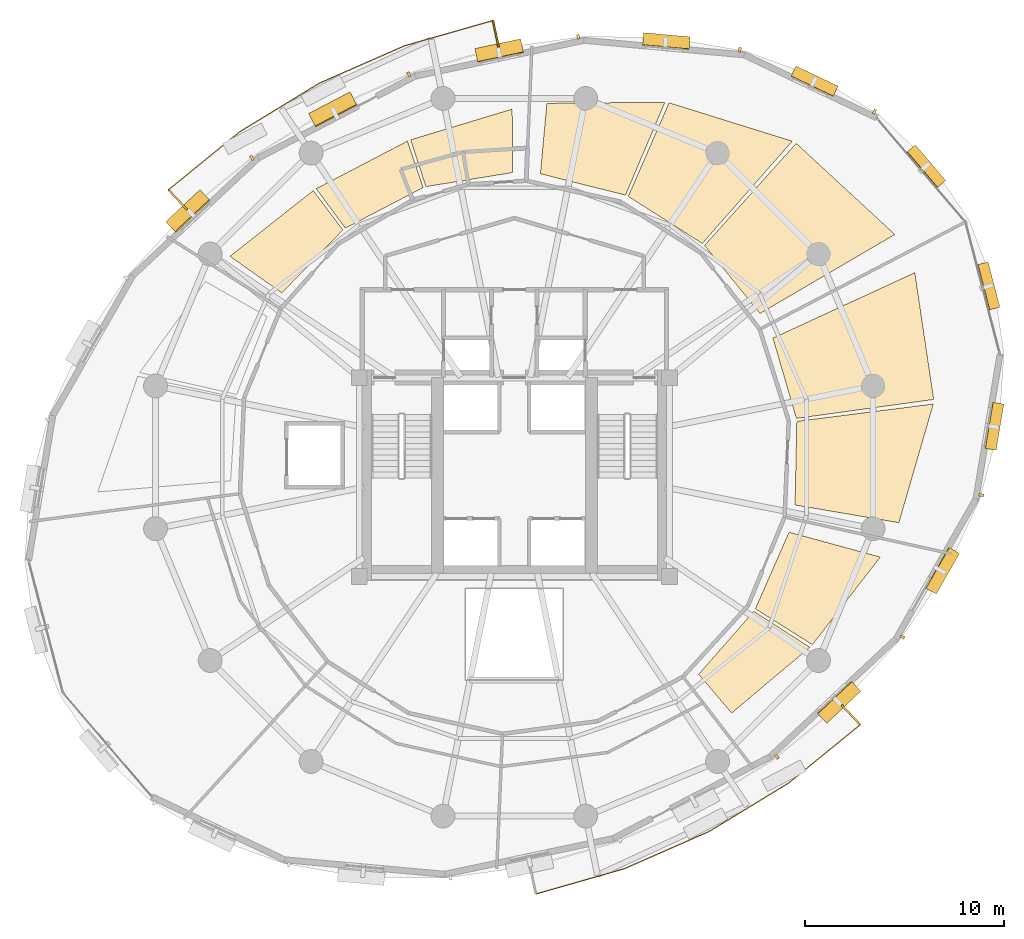
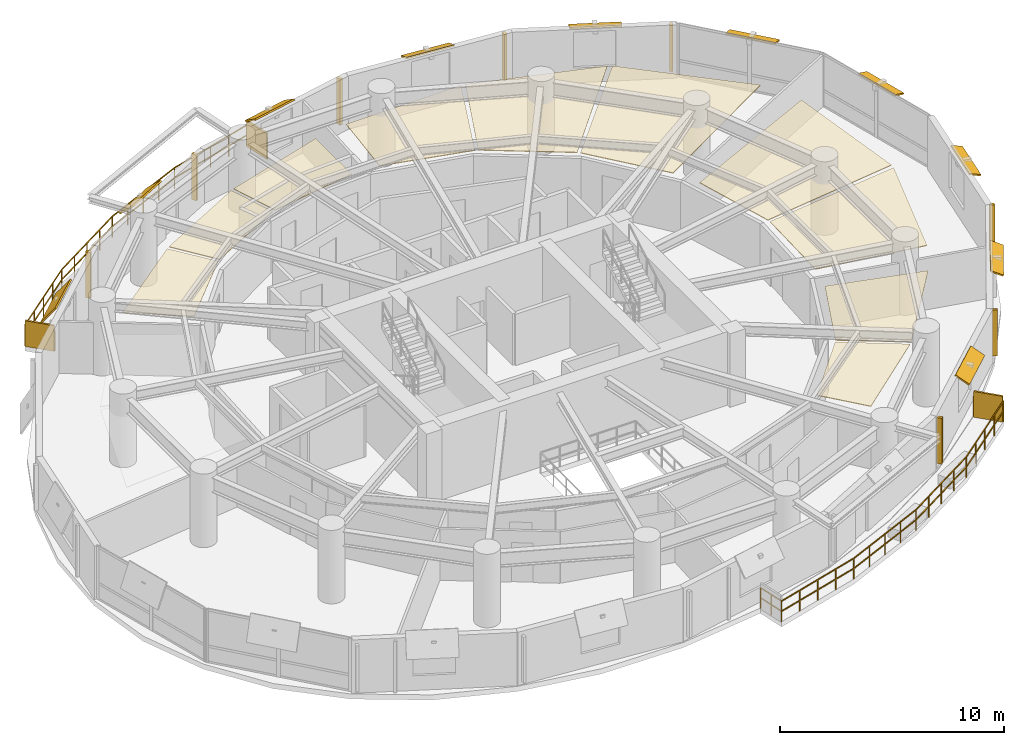
# One storey, part 14 of 14: 21 shading devices, 10 coverings, 2 railings.
"""IFC4 building model written with IfcOpenShell, lengths in metres."""

from ifc_helpers import new_model, si_unit, direction, frame, origin, origin_2d, place, context, subcontext, project, spatial, polyline, rectangle, outline, extrude, material, layer, layer_set, type_object, element, save


model = new_model("IFC4")

# Units and contexts
model_context = context("Model", 3, precision=1e-05, world=origin(), true_north=direction((0.0, 1.0)))
body_context = subcontext(model_context, "Body", "Model", "MODEL_VIEW")
ifc_project = project(units=[si_unit("LENGTHUNIT", "METRE"), si_unit("AREAUNIT", "SQUARE_METRE"), si_unit("VOLUMEUNIT", "CUBIC_METRE"), si_unit("PLANEANGLEUNIT", "RADIAN"), si_unit("MASSUNIT", "GRAM", prefix="KILO"), si_unit("THERMODYNAMICTEMPERATUREUNIT", "KELVIN"), si_unit("POWERUNIT", "WATT")], contexts=[model_context])

# Site, building, storey
site_placement = place(None, origin())
site = spatial("IfcSite", under=ifc_project, at=site_placement, CompositionType="ELEMENT")
building_placement = place(site_placement, origin())
building = spatial("IfcBuilding", under=site, at=building_placement, Name="Ocrelia Relay Tower", CompositionType="ELEMENT")
storey_placement = place(building_placement, frame((0.0, 0.0, 149.800048828125)))
storey = spatial("IfcBuildingStorey", under=building, at=storey_placement, Name="L35", CompositionType="ELEMENT", Elevation=149.800048828125)

# Coverings
ifc_material_1 = material(Name="Mineral-fiber acoustic ceiling tile", Category="gypsum")
ifc_layer_1 = layer(ifc_material_1, 0.0400390625, Name="Mineral-fiber acoustic ceiling tile")
ifc_layer_set_1 = layer_set([ifc_layer_1], Name="Mineral-fiber acoustic ceiling tile")
covering_type = type_object("IfcCoveringType", Name="COV-CEIL-ACOUSTIC", PredefinedType="CEILING", material=ifc_layer_set_1)
covering_1_placement = place(storey_placement, frame((0.0, 0.0, 2.719970703125)))
element("IfcCovering", 1, at=covering_1_placement, inside=storey, type_object=covering_type, Name="L35 Network Engineering Office Suspended Ceiling 1", PredefinedType="CEILING", context=body_context, shape_type="SweptSolid", body=[
    extrude(outline(polyline([(33.91259765625, 40.319580078125), (33.89306640625, 43.5126953125), (28.78564453125, 41.96923828125), (29.55517578125, 39.61279296875), (33.91259765625, 40.319580078125)])), origin(), (0.0, 0.0, 1.0), 0.0400390625),
])
covering_2_placement = place(storey_placement, frame((0.0, 0.0, 2.719970703125)))
element("IfcCovering", 2, at=covering_2_placement, inside=storey, type_object=covering_type, Name="L35 Network Engineering Office Suspended Ceiling 2", PredefinedType="CEILING", context=body_context, shape_type="SweptSolid", body=[
    extrude(outline(polyline([(29.412841796875, 39.5654296875), (28.62255859375, 41.902099609375), (24.034423828125, 39.5087890625), (25.498779296875, 37.523681640625), (29.412841796875, 39.5654296875)])), origin(), (0.0, 0.0, 1.0), 0.0400390625),
])
covering_3_placement = place(storey_placement, frame((0.0, 0.0, 2.719970703125)))
element("IfcCovering", 3, at=covering_3_placement, inside=storey, type_object=covering_type, Name="L35 Network Engineering Office Suspended Ceiling 3", PredefinedType="CEILING", context=body_context, shape_type="SweptSolid", body=[
    extrude(outline(polyline([(25.378662109375, 37.43408203125), (23.88623046875, 39.413330078125), (19.697998046875, 36.107666015625), (22.3056640625, 34.2646484375), (25.378662109375, 37.43408203125)])), origin(), (0.0, 0.0, 1.0), 0.0400390625),
])
covering_4_placement = place(storey_placement, frame((0.0, 0.0, 2.719970703125)))
element("IfcCovering", 4, at=covering_4_placement, inside=storey, type_object=covering_type, Name="L35 Peering Conference Room Suspended Ceiling 1", PredefinedType="CEILING", context=body_context, shape_type="SweptSolid", body=[
    extrude(outline(polyline([(43.271484375, 15.086669921875), (44.9296875, 13.135009765625), (48.859375, 16.442138671875), (46.043701171875, 18.253173828125), (43.271484375, 15.086669921875)])), origin(), (0.0, 0.0, 1.0), 0.0400390625),
])
covering_5_placement = place(storey_placement, frame((0.0, 0.0, 2.719970703125)))
element("IfcCovering", 5, at=covering_5_placement, inside=storey, type_object=covering_type, Name="L35 Peering Conference Room Suspended Ceiling 2", PredefinedType="CEILING", context=body_context, shape_type="SweptSolid", body=[
    extrude(outline(polyline([(46.1240234375, 18.3798828125), (48.99169921875, 16.577392578125), (52.40576171875, 20.98193359375), (47.81591796875, 22.2333984375), (46.1240234375, 18.3798828125)])), origin(), (0.0, 0.0, 1.0), 0.0400390625),
])
covering_6_placement = place(storey_placement, frame((0.0, 0.0, 2.719970703125)))
element("IfcCovering", 6, at=covering_6_placement, inside=storey, type_object=covering_type, Name="L35 Carrier Patching Workspace Suspended Ceiling 1", PredefinedType="CEILING", context=body_context, shape_type="SweptSolid", body=[
    extrude(outline(polyline([(48.117431640625, 23.599609375), (53.34130859375, 22.711181640625), (55.0712890625, 28.6806640625), (48.20556640625, 27.80712890625), (48.117431640625, 23.599609375)])), origin(), (0.0, 0.0, 1.0), 0.0400390625),
])
covering_7_placement = place(storey_placement, frame((0.0, 0.0, 2.719970703125)))
element("IfcCovering", 7, at=covering_7_placement, inside=storey, type_object=covering_type, Name="L35 Carrier Patching Workspace Suspended Ceiling 2", PredefinedType="CEILING", context=body_context, shape_type="SweptSolid", body=[
    extrude(outline(polyline([(48.185791015625, 27.955810546875), (55.091796875, 28.907958984375), (54.142333984375, 35.285888671875), (47.004638671875, 31.9951171875), (48.185791015625, 27.955810546875)])), origin(), (0.0, 0.0, 1.0), 0.0400390625),
])
covering_8_placement = place(storey_placement, frame((0.0, 0.0, 2.719970703125)))
element("IfcCovering", 8, at=covering_8_placement, inside=storey, type_object=covering_type, Name="L35 Shift Staff Lounge Suspended Ceiling 1", PredefinedType="CEILING", context=body_context, shape_type="SweptSolid", body=[
    extrude(outline(polyline([(46.357421875, 33.235595703125), (53.14013671875, 37.20703125), (48.1767578125, 41.791015625), (43.56640625, 36.65576171875), (46.357421875, 33.235595703125)])), origin(), (0.0, 0.0, 1.0), 0.0400390625),
])
covering_9_placement = place(storey_placement, frame((0.0, 0.0, 2.719970703125)))
element("IfcCovering", 9, at=covering_9_placement, inside=storey, type_object=covering_type, Name="L35 Shift Staff Lounge Suspended Ceiling 2", PredefinedType="CEILING", context=body_context, shape_type="SweptSolid", body=[
    extrude(outline(polyline([(43.454345703125, 36.75537109375), (47.9765625, 41.89990234375), (41.78369140625, 43.830078125), (39.729248046875, 39.1240234375), (43.454345703125, 36.75537109375)])), origin(), (0.0, 0.0, 1.0), 0.0400390625),
])
covering_10_placement = place(storey_placement, frame((0.0, 0.0, 2.719970703125)))
element("IfcCovering", 10, at=covering_10_placement, inside=storey, type_object=covering_type, Name="L35 Shift Staff Lounge Suspended Ceiling 3", PredefinedType="CEILING", context=body_context, shape_type="SweptSolid", body=[
    extrude(outline(polyline([(39.59130859375, 39.183349609375), (41.57373046875, 43.85693359375), (35.6357421875, 43.802490234375), (35.310302734375, 40.260009765625), (39.59130859375, 39.183349609375)])), origin(), (0.0, 0.0, 1.0), 0.0400390625),
])

# Railings
ifc_material_2 = material(Name="Steel S355 balustrade", Category="steel")
railing_type = type_object("IfcRailingType", Name="RL-EXT-GUARD-1150", PredefinedType="GUARDRAIL", material=ifc_material_2)
railing_1_placement = place(storey_placement, frame((17.55029296875, 38.436767578125, 0.0)))
element("IfcRailing", 11, at=railing_1_placement, inside=storey, type_object=railing_type, Name="L35 Loggia Balcony Guard Rail B1", PredefinedType="GUARDRAIL", context=body_context, shape_type="SweptSolid", body=[
    extrude(rectangle(XDim=0.048095703125, YDim=0.048095703125, at=origin_2d()), frame((0.0, 0.0, 1.1259765625), z_axis=(-0.684686742838, 0.728837474464, 0.0), x_axis=(-0.728837474464, -0.684686742838, 0.0)), (0.0, 0.0, 1.0), 1.3935546875),
    extrude(rectangle(XDim=0.048095703125, YDim=0.048095703125, at=origin_2d()), frame((0.0, 0.0, 0.574951171875), z_axis=(-0.684686742838, 0.728837474464, 0.0), x_axis=(-0.728837474464, -0.684686742838, 0.0)), (0.0, 0.0, 1.0), 1.3935546875),
    extrude(rectangle(XDim=0.048095703125, YDim=0.048095703125, at=origin_2d()), frame((-0.9541015625, 1.015625, 1.1259765625), z_axis=(0.775294256415, 0.631600202636, 0.0), x_axis=(-0.631600202636, 0.775294256415, 0.0)), (0.0, 0.0, 1.0), 2.315673828125),
    extrude(rectangle(XDim=0.048095703125, YDim=0.048095703125, at=origin_2d()), frame((-0.9541015625, 1.015625, 0.574951171875), z_axis=(0.775294256415, 0.631600202636, 0.0), x_axis=(-0.631600202636, 0.775294256415, 0.0)), (0.0, 0.0, 1.0), 2.315673828125),
    extrude(rectangle(XDim=0.048095703125, YDim=0.048095703125, at=origin_2d()), frame((0.84130859375, 2.478271484375, 1.1259765625), z_axis=(0.775242633249, 0.631663565193, 0.0), x_axis=(-0.631663565193, 0.775242633249, 0.0)), (0.0, 0.0, 1.0), 2.31591796875),
    extrude(rectangle(XDim=0.048095703125, YDim=0.048095703125, at=origin_2d()), frame((0.84130859375, 2.478271484375, 0.574951171875), z_axis=(0.775242633249, 0.631663565193, 0.0), x_axis=(-0.631663565193, 0.775242633249, 0.0)), (0.0, 0.0, 1.0), 2.31591796875),
    extrude(rectangle(XDim=0.048095703125, YDim=0.048095703125, at=origin_2d()), frame((2.63671875, 3.941162109375, 1.1259765625), z_axis=(0.853641245126, 0.520861425543, 0.0), x_axis=(-0.520861425543, 0.853641245126, 0.0)), (0.0, 0.0, 1.0), 4.68212890625),
    extrude(rectangle(XDim=0.048095703125, YDim=0.048095703125, at=origin_2d()), frame((2.63671875, 3.941162109375, 0.574951171875), z_axis=(0.853641245126, 0.520861425543, 0.0), x_axis=(-0.520861425543, 0.853641245126, 0.0)), (0.0, 0.0, 1.0), 4.68212890625),
    extrude(rectangle(XDim=0.048095703125, YDim=0.048095703125, at=origin_2d()), frame((6.633544921875, 6.3798828125, 1.1259765625), z_axis=(0.91560236182, 0.402084959963, 0.0), x_axis=(-0.402084959963, 0.91560236182, 0.0)), (0.0, 0.0, 1.0), 4.68212890625),
    extrude(rectangle(XDim=0.048095703125, YDim=0.048095703125, at=origin_2d()), frame((6.633544921875, 6.3798828125, 0.574951171875), z_axis=(0.91560236182, 0.402084959963, 0.0), x_axis=(-0.402084959963, 0.91560236182, 0.0)), (0.0, 0.0, 1.0), 4.68212890625),
    extrude(rectangle(XDim=0.048095703125, YDim=0.048095703125, at=origin_2d()), frame((10.92041015625, 8.262451171875, 1.1259765625), z_axis=(0.961579624003, 0.274526185824, 0.0), x_axis=(-0.274526185824, 0.961579624003, 0.0)), (0.0, 0.0, 1.0), 2.315673828125),
    extrude(rectangle(XDim=0.048095703125, YDim=0.048095703125, at=origin_2d()), frame((10.92041015625, 8.262451171875, 0.574951171875), z_axis=(0.961579624003, 0.274526185824, 0.0), x_axis=(-0.274526185824, 0.961579624003, 0.0)), (0.0, 0.0, 1.0), 2.315673828125),
    extrude(rectangle(XDim=0.048095703125, YDim=0.048095703125, at=origin_2d()), frame((13.147216796875, 8.898193359375, 1.1259765625), z_axis=(0.96161538846, 0.274400883157, 0.0), x_axis=(-0.274400883157, 0.96161538846, 0.0)), (0.0, 0.0, 1.0), 2.31591796875),
    extrude(rectangle(XDim=0.048095703125, YDim=0.048095703125, at=origin_2d()), frame((13.147216796875, 8.898193359375, 0.574951171875), z_axis=(0.96161538846, 0.274400883157, 0.0), x_axis=(-0.274400883157, 0.96161538846, 0.0)), (0.0, 0.0, 1.0), 2.31591796875),
    extrude(rectangle(XDim=0.048095703125, YDim=0.048095703125, at=origin_2d()), frame((15.374267578125, 9.53369140625, 1.1259765625), z_axis=(0.206045801566, -0.978542348423, 0.0), x_axis=(0.978542348423, 0.206045801566, 0.0)), (0.0, 0.0, 1.0), 1.393310546875),
    extrude(rectangle(XDim=0.048095703125, YDim=0.048095703125, at=origin_2d()), frame((15.374267578125, 9.53369140625, 0.574951171875), z_axis=(0.206045801566, -0.978542348423, 0.0), x_axis=(0.978542348423, 0.206045801566, 0.0)), (0.0, 0.0, 1.0), 1.393310546875),
    extrude(rectangle(XDim=0.0419921875, YDim=0.0419921875, at=origin_2d()), origin(), (0.0, 0.0, 1.0), 1.101806640625),
    extrude(rectangle(XDim=0.0419921875, YDim=0.0419921875, at=origin_2d()), frame((-0.47705078125, 0.5078125, 0.0)), (0.0, 0.0, 1.0), 1.101806640625),
    extrude(rectangle(XDim=0.0419921875, YDim=0.0419921875, at=origin_2d()), frame((-0.9541015625, 1.015625, 0.0)), (0.0, 0.0, 1.0), 1.101806640625),
    extrude(rectangle(XDim=0.0419921875, YDim=0.0419921875, at=origin_2d()), frame((-0.056396484375, 1.7470703125, 0.0)), (0.0, 0.0, 1.0), 1.101806640625),
    extrude(rectangle(XDim=0.0419921875, YDim=0.0419921875, at=origin_2d()), frame((0.84130859375, 2.478271484375, 0.0)), (0.0, 0.0, 1.0), 1.101806640625),
    extrude(rectangle(XDim=0.0419921875, YDim=0.0419921875, at=origin_2d()), frame((1.739013671875, 3.209716796875, 0.0)), (0.0, 0.0, 1.0), 1.101806640625),
    extrude(rectangle(XDim=0.0419921875, YDim=0.0419921875, at=origin_2d()), frame((2.63671875, 3.941162109375, 0.0)), (0.0, 0.0, 1.0), 1.101806640625),
    extrude(rectangle(XDim=0.0419921875, YDim=0.0419921875, at=origin_2d()), frame((3.635986328125, 4.55078125, 0.0)), (0.0, 0.0, 1.0), 1.101806640625),
    extrude(rectangle(XDim=0.0419921875, YDim=0.0419921875, at=origin_2d()), frame((4.63525390625, 5.16064453125, 0.0)), (0.0, 0.0, 1.0), 1.101806640625),
    extrude(rectangle(XDim=0.0419921875, YDim=0.0419921875, at=origin_2d()), frame((5.63427734375, 5.770263671875, 0.0)), (0.0, 0.0, 1.0), 1.101806640625),
    extrude(rectangle(XDim=0.0419921875, YDim=0.0419921875, at=origin_2d()), frame((6.633544921875, 6.3798828125, 0.0)), (0.0, 0.0, 1.0), 1.101806640625),
    extrude(rectangle(XDim=0.0419921875, YDim=0.0419921875, at=origin_2d()), frame((7.705322265625, 6.8505859375, 0.0)), (0.0, 0.0, 1.0), 1.101806640625),
    extrude(rectangle(XDim=0.0419921875, YDim=0.0419921875, at=origin_2d()), frame((8.77685546875, 7.3212890625, 0.0)), (0.0, 0.0, 1.0), 1.101806640625),
    extrude(rectangle(XDim=0.0419921875, YDim=0.0419921875, at=origin_2d()), frame((9.8486328125, 7.791748046875, 0.0)), (0.0, 0.0, 1.0), 1.101806640625),
    extrude(rectangle(XDim=0.0419921875, YDim=0.0419921875, at=origin_2d()), frame((10.92041015625, 8.262451171875, 0.0)), (0.0, 0.0, 1.0), 1.101806640625),
    extrude(rectangle(XDim=0.0419921875, YDim=0.0419921875, at=origin_2d()), frame((12.03369140625, 8.580322265625, 0.0)), (0.0, 0.0, 1.0), 1.101806640625),
    extrude(rectangle(XDim=0.0419921875, YDim=0.0419921875, at=origin_2d()), frame((13.147216796875, 8.898193359375, 0.0)), (0.0, 0.0, 1.0), 1.101806640625),
    extrude(rectangle(XDim=0.0419921875, YDim=0.0419921875, at=origin_2d()), frame((14.2607421875, 9.2158203125, 0.0)), (0.0, 0.0, 1.0), 1.101806640625),
    extrude(rectangle(XDim=0.0419921875, YDim=0.0419921875, at=origin_2d()), frame((15.374267578125, 9.53369140625, 0.0)), (0.0, 0.0, 1.0), 1.101806640625),
    extrude(rectangle(XDim=0.0419921875, YDim=0.0419921875, at=origin_2d()), frame((15.517822265625, 8.85205078125, 0.0)), (0.0, 0.0, 1.0), 1.101806640625),
    extrude(rectangle(XDim=0.0419921875, YDim=0.0419921875, at=origin_2d()), frame((15.661376953125, 8.170166015625, 0.0)), (0.0, 0.0, 1.0), 1.101806640625),
])
railing_2_placement = place(storey_placement, frame((50.44970703125, 13.563232421875, 0.0)))
element("IfcRailing", 12, at=railing_2_placement, inside=storey, type_object=railing_type, Name="L35 Loggia Balcony Guard Rail B2", PredefinedType="GUARDRAIL", context=body_context, shape_type="SweptSolid", body=[
    extrude(rectangle(XDim=0.048095703125, YDim=0.048095703125, at=origin_2d()), frame((0.0, 0.0, 1.1259765625), z_axis=(0.684686742838, -0.728837474464, 0.0), x_axis=(0.728837474464, 0.684686742838, 0.0)), (0.0, 0.0, 1.0), 1.3935546875),
    extrude(rectangle(XDim=0.048095703125, YDim=0.048095703125, at=origin_2d()), frame((0.0, 0.0, 0.574951171875), z_axis=(0.684686742838, -0.728837474464, 0.0), x_axis=(0.728837474464, 0.684686742838, 0.0)), (0.0, 0.0, 1.0), 1.3935546875),
    extrude(rectangle(XDim=0.048095703125, YDim=0.048095703125, at=origin_2d()), frame((0.9541015625, -1.015625, 1.1259765625), z_axis=(-0.775242633249, -0.631663565193, 0.0), x_axis=(0.631663565193, -0.775242633249, 0.0)), (0.0, 0.0, 1.0), 2.31591796875),
    extrude(rectangle(XDim=0.048095703125, YDim=0.048095703125, at=origin_2d()), frame((0.9541015625, -1.015625, 0.574951171875), z_axis=(-0.775242633249, -0.631663565193, 0.0), x_axis=(0.631663565193, -0.775242633249, 0.0)), (0.0, 0.0, 1.0), 2.31591796875),
    extrude(rectangle(XDim=0.048095703125, YDim=0.048095703125, at=origin_2d()), frame((-0.84130859375, -2.478515625, 1.1259765625), z_axis=(-0.775294256415, -0.631600202636, 0.0), x_axis=(0.631600202636, -0.775294256415, 0.0)), (0.0, 0.0, 1.0), 2.315673828125),
    extrude(rectangle(XDim=0.048095703125, YDim=0.048095703125, at=origin_2d()), frame((-0.84130859375, -2.478515625, 0.574951171875), z_axis=(-0.775294256415, -0.631600202636, 0.0), x_axis=(0.631600202636, -0.775294256415, 0.0)), (0.0, 0.0, 1.0), 2.315673828125),
    extrude(rectangle(XDim=0.048095703125, YDim=0.048095703125, at=origin_2d()), frame((-2.63671875, -3.941162109375, 1.1259765625), z_axis=(-0.853641245126, -0.520861425543, 0.0), x_axis=(0.520861425543, -0.853641245126, 0.0)), (0.0, 0.0, 1.0), 4.68212890625),
    extrude(rectangle(XDim=0.048095703125, YDim=0.048095703125, at=origin_2d()), frame((-2.63671875, -3.941162109375, 0.574951171875), z_axis=(-0.853641245126, -0.520861425543, 0.0), x_axis=(0.520861425543, -0.853641245126, 0.0)), (0.0, 0.0, 1.0), 4.68212890625),
    extrude(rectangle(XDim=0.048095703125, YDim=0.048095703125, at=origin_2d()), frame((-6.633544921875, -6.3798828125, 1.1259765625), z_axis=(-0.91560236182, -0.402084959963, 0.0), x_axis=(0.402084959963, -0.91560236182, 0.0)), (0.0, 0.0, 1.0), 4.68212890625),
    extrude(rectangle(XDim=0.048095703125, YDim=0.048095703125, at=origin_2d()), frame((-6.633544921875, -6.3798828125, 0.574951171875), z_axis=(-0.91560236182, -0.402084959963, 0.0), x_axis=(0.402084959963, -0.91560236182, 0.0)), (0.0, 0.0, 1.0), 4.68212890625),
    extrude(rectangle(XDim=0.048095703125, YDim=0.048095703125, at=origin_2d()), frame((-10.92041015625, -8.262451171875, 1.1259765625), z_axis=(-0.961579624003, -0.274526185824, 0.0), x_axis=(0.274526185824, -0.961579624003, 0.0)), (0.0, 0.0, 1.0), 2.315673828125),
    extrude(rectangle(XDim=0.048095703125, YDim=0.048095703125, at=origin_2d()), frame((-10.92041015625, -8.262451171875, 0.574951171875), z_axis=(-0.961579624003, -0.274526185824, 0.0), x_axis=(0.274526185824, -0.961579624003, 0.0)), (0.0, 0.0, 1.0), 2.315673828125),
    extrude(rectangle(XDim=0.048095703125, YDim=0.048095703125, at=origin_2d()), frame((-13.147216796875, -8.898193359375, 1.1259765625), z_axis=(-0.96161538846, -0.274400883157, 0.0), x_axis=(0.274400883157, -0.96161538846, 0.0)), (0.0, 0.0, 1.0), 2.31591796875),
    extrude(rectangle(XDim=0.048095703125, YDim=0.048095703125, at=origin_2d()), frame((-13.147216796875, -8.898193359375, 0.574951171875), z_axis=(-0.96161538846, -0.274400883157, 0.0), x_axis=(0.274400883157, -0.96161538846, 0.0)), (0.0, 0.0, 1.0), 2.31591796875),
    extrude(rectangle(XDim=0.048095703125, YDim=0.048095703125, at=origin_2d()), frame((-15.374267578125, -9.53369140625, 1.1259765625), z_axis=(-0.206045801566, 0.978542348423, 0.0), x_axis=(-0.978542348423, -0.206045801566, 0.0)), (0.0, 0.0, 1.0), 1.393310546875),
    extrude(rectangle(XDim=0.048095703125, YDim=0.048095703125, at=origin_2d()), frame((-15.374267578125, -9.53369140625, 0.574951171875), z_axis=(-0.206045801566, 0.978542348423, 0.0), x_axis=(-0.978542348423, -0.206045801566, 0.0)), (0.0, 0.0, 1.0), 1.393310546875),
    extrude(rectangle(XDim=0.0419921875, YDim=0.0419921875, at=origin_2d()), origin(), (0.0, 0.0, 1.0), 1.101806640625),
    extrude(rectangle(XDim=0.0419921875, YDim=0.0419921875, at=origin_2d()), frame((0.47705078125, -0.5078125, 0.0)), (0.0, 0.0, 1.0), 1.101806640625),
    extrude(rectangle(XDim=0.0419921875, YDim=0.0419921875, at=origin_2d()), frame((0.9541015625, -1.015625, 0.0)), (0.0, 0.0, 1.0), 1.101806640625),
    extrude(rectangle(XDim=0.0419921875, YDim=0.0419921875, at=origin_2d()), frame((0.056396484375, -1.7470703125, 0.0)), (0.0, 0.0, 1.0), 1.101806640625),
    extrude(rectangle(XDim=0.0419921875, YDim=0.0419921875, at=origin_2d()), frame((-0.84130859375, -2.478515625, 0.0)), (0.0, 0.0, 1.0), 1.101806640625),
    extrude(rectangle(XDim=0.0419921875, YDim=0.0419921875, at=origin_2d()), frame((-1.739013671875, -3.2099609375, 0.0)), (0.0, 0.0, 1.0), 1.101806640625),
    extrude(rectangle(XDim=0.0419921875, YDim=0.0419921875, at=origin_2d()), frame((-2.63671875, -3.941162109375, 0.0)), (0.0, 0.0, 1.0), 1.101806640625),
    extrude(rectangle(XDim=0.0419921875, YDim=0.0419921875, at=origin_2d()), frame((-3.635986328125, -4.55078125, 0.0)), (0.0, 0.0, 1.0), 1.101806640625),
    extrude(rectangle(XDim=0.0419921875, YDim=0.0419921875, at=origin_2d()), frame((-4.63525390625, -5.16064453125, 0.0)), (0.0, 0.0, 1.0), 1.101806640625),
    extrude(rectangle(XDim=0.0419921875, YDim=0.0419921875, at=origin_2d()), frame((-5.63427734375, -5.770263671875, 0.0)), (0.0, 0.0, 1.0), 1.101806640625),
    extrude(rectangle(XDim=0.0419921875, YDim=0.0419921875, at=origin_2d()), frame((-6.633544921875, -6.3798828125, 0.0)), (0.0, 0.0, 1.0), 1.101806640625),
    extrude(rectangle(XDim=0.0419921875, YDim=0.0419921875, at=origin_2d()), frame((-7.705322265625, -6.8505859375, 0.0)), (0.0, 0.0, 1.0), 1.101806640625),
    extrude(rectangle(XDim=0.0419921875, YDim=0.0419921875, at=origin_2d()), frame((-8.77685546875, -7.3212890625, 0.0)), (0.0, 0.0, 1.0), 1.101806640625),
    extrude(rectangle(XDim=0.0419921875, YDim=0.0419921875, at=origin_2d()), frame((-9.8486328125, -7.791748046875, 0.0)), (0.0, 0.0, 1.0), 1.101806640625),
    extrude(rectangle(XDim=0.0419921875, YDim=0.0419921875, at=origin_2d()), frame((-10.92041015625, -8.262451171875, 0.0)), (0.0, 0.0, 1.0), 1.101806640625),
    extrude(rectangle(XDim=0.0419921875, YDim=0.0419921875, at=origin_2d()), frame((-12.03369140625, -8.580322265625, 0.0)), (0.0, 0.0, 1.0), 1.101806640625),
    extrude(rectangle(XDim=0.0419921875, YDim=0.0419921875, at=origin_2d()), frame((-13.147216796875, -8.898193359375, 0.0)), (0.0, 0.0, 1.0), 1.101806640625),
    extrude(rectangle(XDim=0.0419921875, YDim=0.0419921875, at=origin_2d()), frame((-14.2607421875, -9.2158203125, 0.0)), (0.0, 0.0, 1.0), 1.101806640625),
    extrude(rectangle(XDim=0.0419921875, YDim=0.0419921875, at=origin_2d()), frame((-15.374267578125, -9.53369140625, 0.0)), (0.0, 0.0, 1.0), 1.101806640625),
    extrude(rectangle(XDim=0.0419921875, YDim=0.0419921875, at=origin_2d()), frame((-15.517822265625, -8.85205078125, 0.0)), (0.0, 0.0, 1.0), 1.101806640625),
    extrude(rectangle(XDim=0.0419921875, YDim=0.0419921875, at=origin_2d()), frame((-15.661376953125, -8.170166015625, 0.0)), (0.0, 0.0, 1.0), 1.101806640625),
])

# Shading devices
ifc_material_3 = material(Name="Perforated oxide terracotta solar screen", Category="masonry")
ifc_layer_2 = layer(ifc_material_3, 0.090087890625, Name="Perforated oxide terracotta solar screen")
ifc_layer_set_2 = layer_set([ifc_layer_2], Name="Perforated oxide terracotta solar screen")
shading_device_type_1 = type_object("IfcShadingDeviceType", Name="SH-BALC-SCREEN", PredefinedType="USERDEFINED", material=ifc_layer_set_2)
for number, where, z_axis, x_axis, name in (
    (13, (33.068115234375, 47.288818359375, 0.0), (0.0, 0.0, 1.0), (-0.206097278557, 0.978531507807, 0.0), "L35 Balcony Perforated Terracotta Screen B1-1"),
    (14, (17.0732421875, 38.944580078125, 0.0), (0.0, 0.0, 1.0), (-0.684621164753, 0.728899074476, 0.0), "L35 Balcony Perforated Terracotta Screen B1-2"),
    (15, (50.9267578125, 13.055419921875, 0.0), (0.0, 0.0, 1.0), (0.684621164753, -0.728899074476, 0.0), "L35 Balcony Perforated Terracotta Screen B2-2"),
):
    element("IfcShadingDevice", number, at=place(storey_placement, frame(where, z_axis=z_axis, x_axis=x_axis)), inside=storey, type_object=shading_device_type_1, Name=name, ObjectType="SCREEN", PredefinedType="USERDEFINED", context=body_context, shape_type="SweptSolid", body=[
        extrude(rectangle(XDim=1.340087890625, YDim=0.090087890625, at=origin_2d()), origin(), (0.0, 0.0, 1.0), 1.39990234375),
    ])
ifc_material_4 = material(Name="Extruded oxide terracotta vertical baguette", Category="masonry")
shading_device_type_2 = type_object("IfcShadingDeviceType", Name="SH-TERR-BAGUETTE", PredefinedType="USERDEFINED", material=ifc_material_4)
for number, where, z_axis, x_axis, name in (
    (16, (52.10986328125, 43.380859375, 0.199951171875), (0.0, 0.0, 1.0), (-0.903106968041, 0.429415654438, 0.0), "L35 Oxide Terracotta Vertical Baguette 02"),
    (17, (45.341552734375, 46.4912109375, 0.199951171875), (0.0, 0.0, 1.0), (-0.995934616408, 0.090079075481, 0.0), "L35 Oxide Terracotta Vertical Baguette 03"),
    (18, (37.215087890625, 47.14501953125, 0.199951171875), (0.0, 0.0, 1.0), (-0.978223769101, -0.207553023506, 0.0), "L35 Oxide Terracotta Vertical Baguette 04"),
    (19, (28.6943359375, 45.262451171875, 0.199951171875), (0.0, 0.0, 1.0), (-0.886606103759, -0.462525260691, 0.0), "L35 Oxide Terracotta Vertical Baguette 05"),
    (20, (20.798583984375, 41.061279296875, 0.199951171875), (0.0, 0.0, 1.0), (-0.729913560071, -0.683539461059, 0.0), "L35 Oxide Terracotta Vertical Baguette 06"),
    (21, (47.201416015625, 10.938720703125, 0.199951171875), (0.0, 0.0, 1.0), (0.729913560071, 0.683539461059, 0.0), "L35 Oxide Terracotta Vertical Baguette 15"),
    (22, (53.518310546875, 16.965087890625, 0.199951171875), (0.0, 0.0, 1.0), (0.495938045416, 0.868357907265, 0.0), "L35 Oxide Terracotta Vertical Baguette 16"),
    (23, (57.480712890625, 24.099365234375, 0.199951171875), (0.0, 0.0, 1.0), (0.16452198245, 0.98637341676, 0.0), "L35 Oxide Terracotta Vertical Baguette 17"),
):
    element("IfcShadingDevice", number, at=place(storey_placement, frame(where, z_axis=z_axis, x_axis=x_axis)), inside=storey, type_object=shading_device_type_2, Name=name, ObjectType="BAGUETTE", PredefinedType="USERDEFINED", context=body_context, shape_type="SweptSolid", body=[
        extrude(rectangle(XDim=0.139892578125, YDim=0.239990234375, at=origin_2d()), origin(), (0.0, 0.0, 1.0), 2.5),
    ])
ifc_material_5 = material(Name="Extruded oxide terracotta fin", Category="masonry")
ifc_layer_3 = layer(ifc_material_5, 0.080078125, Name="Extruded oxide terracotta fin")
ifc_layer_set_3 = layer_set([ifc_layer_3], Name="Extruded oxide terracotta fin")
shading_device_type_3 = type_object("IfcShadingDeviceType", Name="SH-VISOR-FIN-MED", PredefinedType="USERDEFINED", material=ifc_layer_set_3)
shading_device_1_placement = place(storey_placement, frame((33.245849609375, 46.4306640625, 2.706298828125), z_axis=(-0.112037045798, 0.528044830993, 0.84179353575), x_axis=(-0.978223769101, -0.207553023506, 0.0)))
element("IfcShadingDevice", 24, at=shading_device_1_placement, inside=storey, type_object=shading_device_type_3, Name="L35 Canted Terracotta Sun-Visor Fin 04", ObjectType="FIN", PredefinedType="USERDEFINED", context=body_context, shape_type="SweptSolid", body=[
    extrude(rectangle(XDim=2.35009765625, YDim=0.794921875, at=origin_2d()), origin(), (0.0, 0.0, 1.0), 0.080078125),
])
shading_device_2_placement = place(storey_placement, frame((24.885498046875, 43.471435546875, 2.710693359375), z_axis=(-0.31585450799, 0.60545565504, 0.730519937827), x_axis=(-0.886606103759, -0.462525260691, 0.0)))
element("IfcShadingDevice", 25, at=shading_device_2_placement, inside=storey, type_object=shading_device_type_3, Name="L35 Canted Terracotta Sun-Visor Fin 05", ObjectType="FIN", PredefinedType="USERDEFINED", context=body_context, shape_type="SweptSolid", body=[
    extrude(rectangle(XDim=2.35009765625, YDim=0.968017578125, at=origin_2d()), origin(), (0.0, 0.0, 1.0), 0.080078125),
])
shading_device_3_placement = place(storey_placement, frame((17.60546875, 38.358154296875, 2.716064453125), z_axis=(-0.547759971166, 0.584922236967, 0.598184746287), x_axis=(-0.729913560071, -0.683539461059, 0.0)))
element("IfcShadingDevice", 26, at=shading_device_3_placement, inside=storey, type_object=shading_device_type_3, Name="L35 Canted Terracotta Sun-Visor Fin 06", ObjectType="FIN", PredefinedType="USERDEFINED", context=body_context, shape_type="SweptSolid", body=[
    extrude(rectangle(XDim=2.35009765625, YDim=1.137939453125, at=origin_2d()), origin(), (0.0, 0.0, 1.0), 0.080078125),
])
ifc_layer_4 = layer(ifc_material_5, 0.080078125, Name="Extruded oxide terracotta fin")
ifc_layer_set_4 = layer_set([ifc_layer_4], Name="Extruded oxide terracotta fin")
shading_device_type_4 = type_object("IfcShadingDeviceType", Name="SH-VISOR-FIN-SHAL", PredefinedType="USERDEFINED", material=ifc_layer_set_4)
shading_device_4_placement = place(storey_placement, frame((54.710693359375, 40.629150390625, 2.701904296875), z_axis=(0.239700016437, 0.204863895179, 0.948986136133), x_axis=(-0.649706095868, 0.760185496436, 0.0)))
element("IfcShadingDevice", 27, at=shading_device_4_placement, inside=storey, type_object=shading_device_type_4, Name="L35 Canted Terracotta Sun-Visor Fin 01", ObjectType="FIN", PredefinedType="USERDEFINED", context=body_context, shape_type="SweptSolid", body=[
    extrude(rectangle(XDim=2.35009765625, YDim=0.555908203125, at=origin_2d()), origin(), (0.0, 0.0, 1.0), 0.080078125),
])
shading_device_5_placement = place(storey_placement, frame((49.091064453125, 44.897216796875, 2.702392578125), z_axis=(0.150384531813, 0.316274726275, 0.936672189248), x_axis=(-0.903106968041, 0.429415654438, 0.0)))
element("IfcShadingDevice", 28, at=shading_device_5_placement, inside=storey, type_object=shading_device_type_4, Name="L35 Canted Terracotta Sun-Visor Fin 02", ObjectType="FIN", PredefinedType="USERDEFINED", context=body_context, shape_type="SweptSolid", body=[
    extrude(rectangle(XDim=2.35009765625, YDim=0.592041015625, at=origin_2d()), origin(), (0.0, 0.0, 1.0), 0.080078125),
])
shading_device_6_placement = place(storey_placement, frame((41.646240234375, 46.9140625, 2.70361328125), z_axis=(0.038083310477, 0.421057687467, 0.906234012432), x_axis=(-0.995934616408, 0.090079075481, 0.0)))
element("IfcShadingDevice", 29, at=shading_device_6_placement, inside=storey, type_object=shading_device_type_4, Name="L35 Canted Terracotta Sun-Visor Fin 03", ObjectType="FIN", PredefinedType="USERDEFINED", context=body_context, shape_type="SweptSolid", body=[
    extrude(rectangle(XDim=2.35009765625, YDim=0.6669921875, at=origin_2d()), origin(), (0.0, 0.0, 1.0), 0.080078125),
])
shading_device_7_placement = place(storey_placement, frame((50.318359375, 13.69677734375, 2.70556640625), z_axis=(0.349386467871, -0.373090267838, 0.859495635889), x_axis=(0.729913560071, 0.683539461059, 0.0)))
element("IfcShadingDevice", 30, at=shading_device_7_placement, inside=storey, type_object=shading_device_type_4, Name="L35 Canted Terracotta Sun-Visor Fin 15", ObjectType="FIN", PredefinedType="USERDEFINED", context=body_context, shape_type="SweptSolid", body=[
    extrude(rectangle(XDim=2.35009765625, YDim=0.761962890625, at=origin_2d()), origin(), (0.0, 0.0, 1.0), 0.080078125),
])
shading_device_8_placement = place(storey_placement, frame((55.521728515625, 20.306640625, 2.703369140625), z_axis=(0.347229556767, -0.198310335235, 0.916572226203), x_axis=(0.495938045416, 0.868357907265, 0.0)))
element("IfcShadingDevice", 31, at=shading_device_8_placement, inside=storey, type_object=shading_device_type_4, Name="L35 Canted Terracotta Sun-Visor Fin 16", ObjectType="FIN", PredefinedType="USERDEFINED", context=body_context, shape_type="SweptSolid", body=[
    extrude(rectangle(XDim=2.35009765625, YDim=0.64306640625, at=origin_2d()), origin(), (0.0, 0.0, 1.0), 0.080078125),
])
shading_device_9_placement = place(storey_placement, frame((58.129150390625, 27.564697265625, 2.702392578125), z_axis=(0.331529148564, -0.055297346659, 0.941823033858), x_axis=(0.16452198245, 0.98637341676, 0.0)))
element("IfcShadingDevice", 32, at=shading_device_9_placement, inside=storey, type_object=shading_device_type_4, Name="L35 Canted Terracotta Sun-Visor Fin 17", ObjectType="FIN", PredefinedType="USERDEFINED", context=body_context, shape_type="SweptSolid", body=[
    extrude(rectangle(XDim=2.35009765625, YDim=0.576904296875, at=origin_2d()), origin(), (0.0, 0.0, 1.0), 0.080078125),
])
shading_device_10_placement = place(storey_placement, frame((57.846923828125, 34.615478515625, 2.701904296875), z_axis=(0.300671676338, 0.078207333263, 0.950515731628), x_axis=(-0.251732432216, 0.967796870511, 0.0)))
element("IfcShadingDevice", 33, at=shading_device_10_placement, inside=storey, type_object=shading_device_type_4, Name="L35 Canted Terracotta Sun-Visor Fin 18", ObjectType="FIN", PredefinedType="USERDEFINED", context=body_context, shape_type="SweptSolid", body=[
    extrude(rectangle(XDim=2.35009765625, YDim=0.552001953125, at=origin_2d()), origin(), (0.0, 0.0, 1.0), 0.080078125),
])

save(model, "model.ifc")
